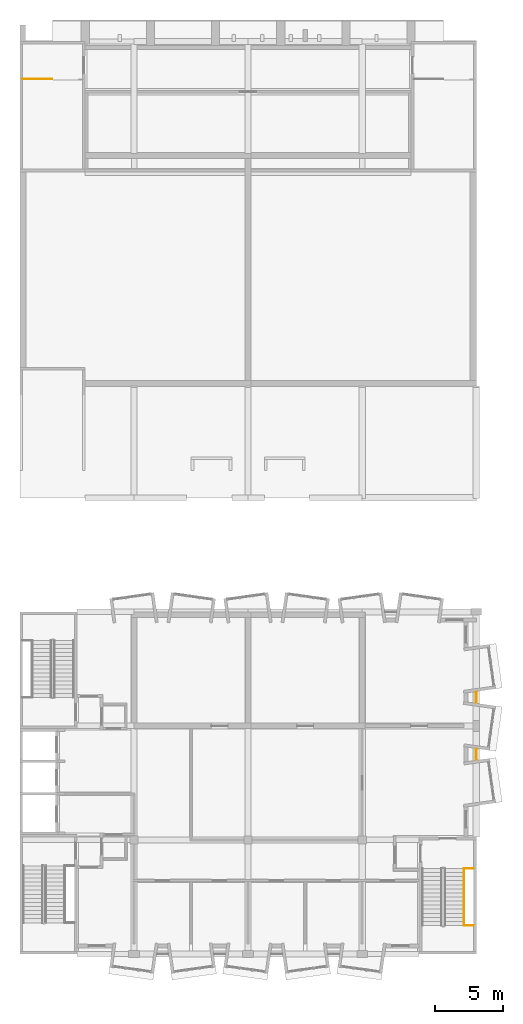
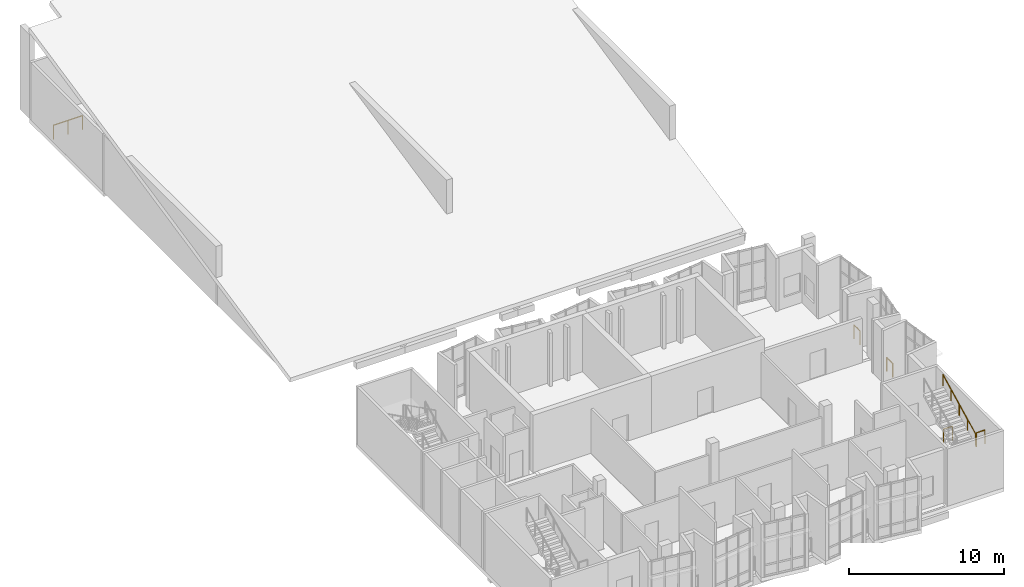
# One storey, part 18 of 19: 6 railings.
"""IFC4 building model written with IfcOpenShell, lengths in metres."""

from ifc_helpers import new_model, si_unit, direction, frame, origin, origin_2d, place, context, subcontext, project, spatial, circle, extrude, material, type_object, element, save


model = new_model("IFC4")

# Units and contexts
model_context = context("Model", 3, precision=1e-05, world=origin(), true_north=direction((0.0, 1.0)))
body_context = subcontext(model_context, "Body", "Model", "MODEL_VIEW")
ifc_project = project(units=[si_unit("LENGTHUNIT", "METRE"), si_unit("AREAUNIT", "SQUARE_METRE"), si_unit("VOLUMEUNIT", "CUBIC_METRE"), si_unit("PLANEANGLEUNIT", "RADIAN"), si_unit("MASSUNIT", "GRAM", prefix="KILO")], contexts=[model_context])

# Site, building, storey
site_placement = place(None, origin())
site = spatial("IfcSite", under=ifc_project, at=site_placement, CompositionType="ELEMENT")
building_placement = place(site_placement, origin())
building = spatial("IfcBuilding", under=site, at=building_placement, Name="Kiln Court Media Centre", CompositionType="ELEMENT")
storey_placement = place(building_placement, frame((0.0, 0.0, 29.10009765625)))
storey = spatial("IfcBuildingStorey", under=building, at=storey_placement, Name="L06", CompositionType="ELEMENT", Elevation=29.10009765625)

# Railings
ifc_material_1 = material(Name="Steel S275", Category="steel")
railing_type_1 = type_object("IfcRailingType", Name="Steel S275 balustrade guard 1100", PredefinedType="GUARDRAIL", material=ifc_material_1)
for number, where, name in (
    (1, (33.60009765625, 19.2822265625, 0.0), "L06 slab notch guard"),
    (2, (33.60009765625, 15.082275390625, 0.0), "L06 slab notch guard"),
):
    element("IfcRailing", number, at=place(storey_placement, frame(where)), inside=storey, type_object=railing_type_1, Name=name, PredefinedType="GUARDRAIL", context=body_context, shape_type="SweptSolid", body=[
        extrude(circle(Radius=0.02392578125, at=origin_2d()), frame((0.0, 0.0, 1.076171875), z_axis=(0.0, -1.0, 0.0), x_axis=(1.0, 0.0, 0.0)), (0.0, 0.0, 1.0), 0.7646484375),
        extrude(circle(Radius=0.02099609375, at=origin_2d()), origin(), (0.0, 0.0, 1.0), 1.052001953125),
        extrude(circle(Radius=0.02099609375, at=origin_2d()), frame((0.0, -0.7646484375, 0.0)), (0.0, 0.0, 1.0), 1.052001953125),
    ])
ifc_material_2 = material(Name="Steel S275", Category="steel")
railing_type_2 = type_object("IfcRailingType", Name="Steel S275 stair guard 1100", PredefinedType="GUARDRAIL", material=ifc_material_2)
for number, where, name in (
    (3, (32.75, 2.10009765625, 2.25), "ST-03 landing edge guard"),
    (4, (32.75, 6.300048828125, 0.0), "ST-03 landing edge guard"),
):
    element("IfcRailing", number, at=place(storey_placement, frame(where)), inside=storey, type_object=railing_type_2, Name=name, PredefinedType="GUARDRAIL", context=body_context, shape_type="SweptSolid", body=[
        extrude(circle(Radius=0.02392578125, at=origin_2d()), frame((0.0, 0.0, 1.076171875), z_axis=(1.0, 0.0, 0.0), x_axis=(0.0, 1.0, 0.0)), (0.0, 0.0, 1.0), 0.64990234375),
        extrude(circle(Radius=0.02099609375, at=origin_2d()), origin(), (0.0, 0.0, 1.0), 1.052001953125),
        extrude(circle(Radius=0.02099609375, at=origin_2d()), frame((0.64990234375, 0.0, 0.0)), (0.0, 0.0, 1.0), 1.052001953125),
    ])
railing_1_placement = place(storey_placement, frame((0.199951171875, 64.449951171875, 0.0)))
element("IfcRailing", 5, at=railing_1_placement, inside=storey, type_object=railing_type_2, Name="ST-07 top floor guard", PredefinedType="GUARDRAIL", context=body_context, shape_type="SweptSolid", body=[
    extrude(circle(Radius=0.02392578125, at=origin_2d()), frame((0.0, 0.0, 1.076171875), z_axis=(1.0, 0.0, 0.0), x_axis=(0.0, 1.0, 0.0)), (0.0, 0.0, 1.0), 2.150146484375),
    extrude(circle(Radius=0.02099609375, at=origin_2d()), origin(), (0.0, 0.0, 1.0), 1.052001953125),
    extrude(circle(Radius=0.02099609375, at=origin_2d()), frame((1.0751953125, 0.0, 0.0)), (0.0, 0.0, 1.0), 1.052001953125),
    extrude(circle(Radius=0.02099609375, at=origin_2d()), frame((2.150146484375, 0.0, 0.0)), (0.0, 0.0, 1.0), 1.052001953125),
])
ifc_material_3 = material(Name="Steel S275", Category="steel")
railing_type_3 = type_object("IfcRailingType", Name="Steel S275 stair handrail 900", PredefinedType="HANDRAIL", material=ifc_material_3)
railing_2_placement = place(storey_placement, frame((32.699951171875, 2.10009765625, 2.39990234375)))
element("IfcRailing", 6, at=railing_2_placement, inside=storey, type_object=railing_type_3, Name="ST-03 stair handrail", PredefinedType="HANDRAIL", context=body_context, shape_type="SweptSolid", body=[
    extrude(circle(Radius=0.02392578125, at=origin_2d()), frame((0.0, 0.0, 0.8759765625), z_axis=(0.0, 0.894416792377, 0.447234392142), x_axis=(-1.0, 0.0, 0.0)), (0.0, 0.0, 1.0), 4.69580078125),
    extrude(circle(Radius=0.02099609375, at=origin_2d()), origin(), (0.0, 0.0, 1.0), 0.851806640625),
    extrude(circle(Radius=0.02099609375, at=origin_2d()), frame((0.0, 1.050048828125, 0.52490234375)), (0.0, 0.0, 1.0), 0.851806640625),
    extrude(circle(Radius=0.02099609375, at=origin_2d()), frame((0.0, 2.10009765625, 1.050048828125)), (0.0, 0.0, 1.0), 0.851806640625),
    extrude(circle(Radius=0.02099609375, at=origin_2d()), frame((0.0, 3.14990234375, 1.5751953125)), (0.0, 0.0, 1.0), 0.851806640625),
    extrude(circle(Radius=0.02099609375, at=origin_2d()), frame((0.0, 4.199951171875, 2.10009765625)), (0.0, 0.0, 1.0), 0.851806640625),
])

save(model, "model.ifc")
